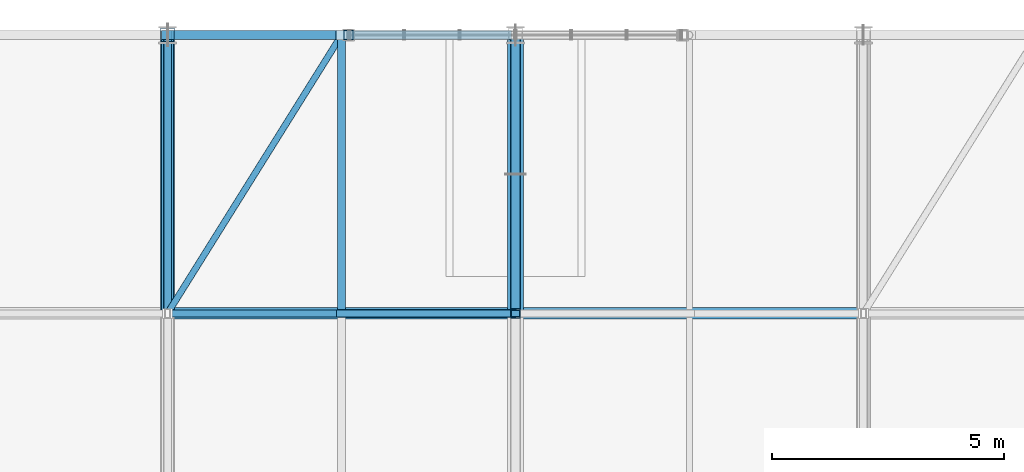
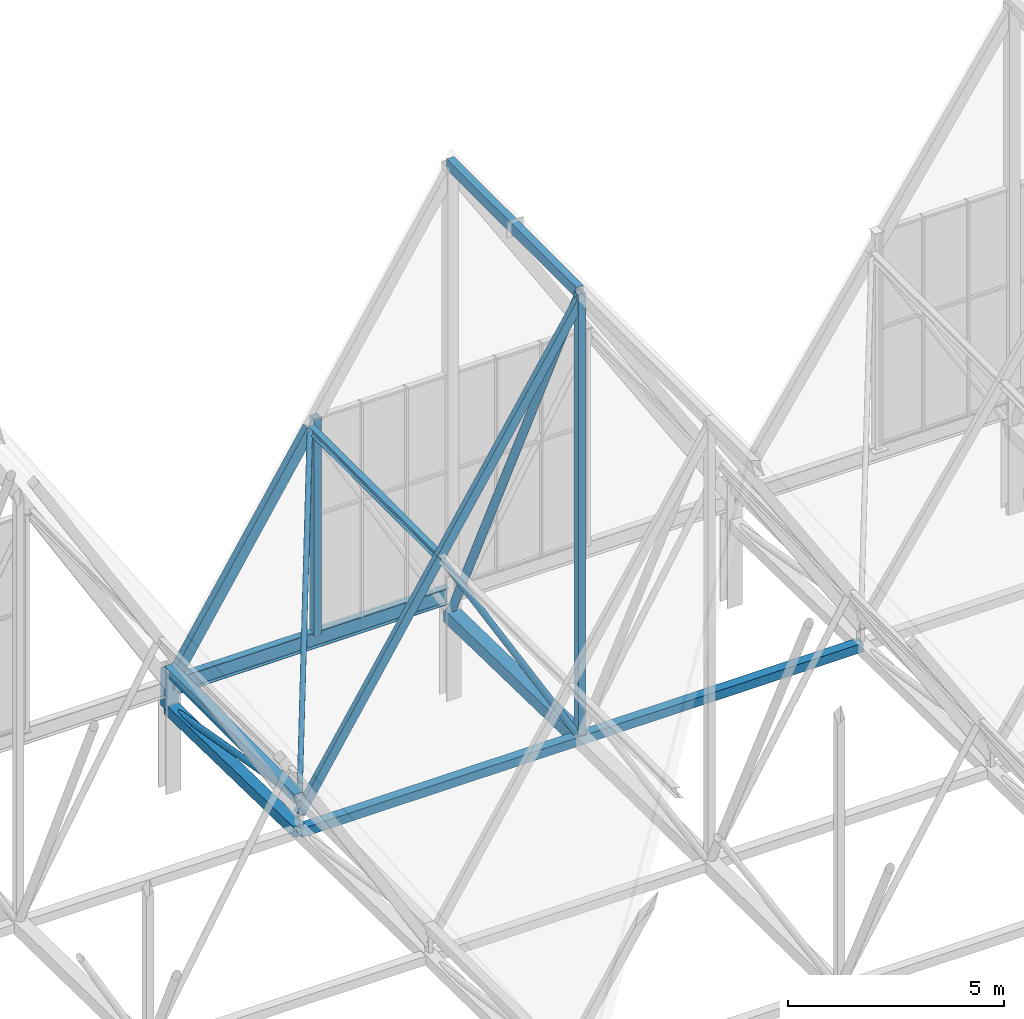
# One storey, part 168 of 324: 15 members, 2 beams.
"""IFC4 building model written with IfcOpenShell, lengths in metres."""

from ifc_helpers import new_model, si_unit, direction, frame, origin, origin_2d, place, context, subcontext, project, spatial, hollow_rectangle, hollow_circle, i_section, extrude, material, material_profile, profile_set, type_object, element, save


model = new_model("IFC4")

# Units and contexts
model_context = context("Model", 3, precision=1e-05, world=origin(), true_north=direction((0.0, 1.0)))
body_context = subcontext(model_context, "Body", "Model", "MODEL_VIEW")
ifc_project = project(units=[si_unit("LENGTHUNIT", "METRE"), si_unit("AREAUNIT", "SQUARE_METRE"), si_unit("VOLUMEUNIT", "CUBIC_METRE"), si_unit("PLANEANGLEUNIT", "RADIAN"), si_unit("MASSUNIT", "GRAM", prefix="KILO")], contexts=[model_context])

# Site, building, storey
site_placement = place(None, origin())
site = spatial("IfcSite", under=ifc_project, at=site_placement, CompositionType="ELEMENT")
building_placement = place(site_placement, origin())
building = spatial("IfcBuilding", under=site, at=building_placement, Name="Solvenia Promenade Tram Depot", CompositionType="ELEMENT")
storey_placement = place(building_placement, frame((0.0, 0.0, 4.5)))
storey = spatial("IfcBuildingStorey", under=building, at=storey_placement, Name="L01", CompositionType="ELEMENT", Elevation=4.5)

# Members
ifc_material_1 = material(Name="Structural steel ASTM A500 Gr. C", Category="steel")
ifc_material_profile_1 = material_profile(ifc_material_1, hollow_circle(Radius=0.109619140625, WallThickness=0.008056640625, at=origin_2d()), Name="CHS219.1x8", Category="steel")
ifc_profile_set_1 = profile_set([ifc_material_profile_1], Name="Structural steel ASTM A500 Gr. C")
member_type_1 = type_object("IfcMemberType", Name="Brace-CHS219x8", PredefinedType="BRACE", material=ifc_profile_set_1)
member_1_placement = place(storey_placement, frame((127.5, 126.0, 2.320068359375), z_axis=(0.0, -0.426619479473, 0.904431213379), x_axis=(1.0, 0.0, 0.0)))
element("IfcMember", 1, at=member_1_placement, inside=storey, type_object=member_type_1, Name="Arched Truss T18 Web Diagonal S10", PredefinedType="BRACE", context=body_context, shape_type="SweptSolid", body=[
    extrude(hollow_circle(Radius=0.109619140625, WallThickness=0.008056640625, at=origin_2d()), origin(), (0.0, 0.0, 1.0), 14.06396484375),
])
ifc_material_profile_2 = material_profile(ifc_material_1, hollow_rectangle(XDim=0.14990234375, YDim=0.25, WallThickness=0.010009765625, at=origin_2d()), Name="HSS250x150x10", Category="steel")
ifc_profile_set_2 = profile_set([ifc_material_profile_2], Name="Structural steel ASTM A500 Gr. C")
member_type_2 = type_object("IfcMemberType", Name="Chord-HSS250x150x10", PredefinedType="CHORD", material=ifc_profile_set_2)
member_2_placement = place(storey_placement, frame((120.0, 120.0, 2.942626953125), z_axis=(0.533506771487, 0.0, 0.845795793781), x_axis=(0.0, 1.0, 0.0)))
element("IfcMember", 2, at=member_2_placement, inside=storey, type_object=member_type_2, Name="Zigzag Gable 09 West Lower Rafter", PredefinedType="CHORD", context=body_context, shape_type="SweptSolid", body=[
    extrude(hollow_rectangle(XDim=0.14990234375, YDim=0.25, WallThickness=0.010009765625, at=origin_2d()), origin(), (0.0, 0.0, 1.0), 7.029052734375),
])
member_3_placement = place(storey_placement, frame((123.75, 120.0, 8.8876953125), z_axis=(0.533522444929, 0.0, 0.845785907164), x_axis=(0.0, 1.0, 0.0)))
element("IfcMember", 3, at=member_3_placement, inside=storey, type_object=member_type_2, Name="Zigzag Gable 09 West Upper Rafter", PredefinedType="CHORD", context=body_context, shape_type="SweptSolid", body=[
    extrude(hollow_rectangle(XDim=0.14990234375, YDim=0.25, WallThickness=0.010009765625, at=origin_2d()), origin(), (0.0, 0.0, 1.0), 7.02880859375),
])
ifc_material_profile_3 = material_profile(ifc_material_1, hollow_rectangle(XDim=0.25, YDim=0.25, WallThickness=0.010009765625, at=origin_2d()), Name="HSS250x250x10", Category="steel")
ifc_profile_set_3 = profile_set([ifc_material_profile_3], Name="Structural steel ASTM A500 Gr. C")
member_type_3 = type_object("IfcMemberType", Name="Chord-HSS250x250x10", PredefinedType="CHORD", material=ifc_profile_set_3)
member_4_placement = place(storey_placement, frame((120.0, 120.0, 3.3798828125), z_axis=(0.0, 1.0, 0.0), x_axis=(-1.0, 0.0, 0.0)))
element("IfcMember", 4, at=member_4_placement, inside=storey, type_object=member_type_3, Name="Arched Truss T17 Upper Chord S10", PredefinedType="CHORD", context=body_context, shape_type="SweptSolid", body=[
    extrude(hollow_rectangle(XDim=0.25, YDim=0.25, WallThickness=0.010009765625, at=origin_2d()), origin(), (0.0, 0.0, 1.0), 6.0),
])
member_5_placement = place(storey_placement, frame((120.0, 120.0, 2.446044921875), z_axis=(1.0, 0.0, 0.0), x_axis=(0.0, 1.0, 0.0)))
element("IfcMember", 5, at=member_5_placement, inside=storey, type_object=member_type_3, Name="Bottom-Chord Catenary Lateral Tie 081", PredefinedType="CHORD", context=body_context, shape_type="SweptSolid", body=[
    extrude(hollow_rectangle(XDim=0.25, YDim=0.25, WallThickness=0.010009765625, at=origin_2d()), origin(), (0.0, 0.0, 1.0), 15.0),
])
ifc_material_profile_4 = material_profile(ifc_material_1, hollow_rectangle(XDim=0.199951171875, YDim=0.300048828125, WallThickness=0.012451171875, at=origin_2d()), Name="HSS300x200x12.5", Category="steel")
ifc_profile_set_4 = profile_set([ifc_material_profile_4], Name="Structural steel ASTM A500 Gr. C")
member_type_4 = type_object("IfcMemberType", Name="Chord-HSS300x200x12", PredefinedType="CHORD", material=ifc_profile_set_4)
member_6_placement = place(storey_placement, frame((127.5, 120.0, 15.0400390625), z_axis=(0.0, 1.0, 0.0), x_axis=(-1.0, 0.0, 0.0)))
element("IfcMember", 6, at=member_6_placement, inside=storey, type_object=member_type_4, Name="Arched Truss T18 Upper Chord S10", PredefinedType="CHORD", context=body_context, shape_type="SweptSolid", body=[
    extrude(hollow_rectangle(XDim=0.199951171875, YDim=0.300048828125, WallThickness=0.012451171875, at=origin_2d()), origin(), (0.0, 0.0, 1.0), 6.0),
])
member_7_placement = place(storey_placement, frame((120.0, 126.0, 2.942626953125), z_axis=(0.533506771487, 0.0, 0.845795793781), x_axis=(0.0, 1.0, 0.0)))
element("IfcMember", 7, at=member_7_placement, inside=storey, type_object=member_type_4, Name="Zigzag Gable 09 West Lower Rafter", PredefinedType="CHORD", context=body_context, shape_type="SweptSolid", body=[
    extrude(hollow_rectangle(XDim=0.199951171875, YDim=0.300048828125, WallThickness=0.012451171875, at=origin_2d()), origin(), (0.0, 0.0, 1.0), 7.029052734375),
])
ifc_material_profile_5 = material_profile(ifc_material_1, hollow_rectangle(XDim=0.300048828125, YDim=0.300048828125, WallThickness=0.012451171875, at=origin_2d()), Name="HSS300x300x12.5", Category="steel")
ifc_profile_set_5 = profile_set([ifc_material_profile_5], Name="Structural steel ASTM A500 Gr. C")
member_type_5 = type_object("IfcMemberType", Name="Chord-HSS300x300x12", PredefinedType="CHORD", material=ifc_profile_set_5)
member_8_placement = place(storey_placement, frame((120.0, 126.0, 2.320068359375), z_axis=(0.0, 0.0, 1.0), x_axis=(1.0, 0.0, 0.0)))
element("IfcMember", 8, at=member_8_placement, inside=storey, type_object=member_type_5, Name="Arched Truss T17 N End Post", PredefinedType="CHORD", context=body_context, shape_type="SweptSolid", body=[
    extrude(hollow_rectangle(XDim=0.300048828125, YDim=0.300048828125, WallThickness=0.012451171875, at=origin_2d()), origin(), (0.0, 0.0, 1.0), 1.059814453125),
])
member_9_placement = place(storey_placement, frame((120.0, 120.0, 2.446044921875), z_axis=(0.0, 0.999779654873, -0.020991467363), x_axis=(-1.0, 0.0, 0.0)))
element("IfcMember", 9, at=member_9_placement, inside=storey, type_object=member_type_5, Name="Arched Truss T17 Bottom Chord S10", PredefinedType="CHORD", context=body_context, shape_type="SweptSolid", body=[
    extrude(hollow_rectangle(XDim=0.300048828125, YDim=0.300048828125, WallThickness=0.012451171875, at=origin_2d()), origin(), (0.0, 0.0, 1.0), 6.001220703125),
])
ifc_material_profile_6 = material_profile(ifc_material_1, hollow_rectangle(XDim=0.35009765625, YDim=0.35009765625, WallThickness=0.01611328125, at=origin_2d()), Name="HSS350x350x16", Category="steel")
ifc_profile_set_6 = profile_set([ifc_material_profile_6], Name="Structural steel ASTM A500 Gr. C")
member_type_6 = type_object("IfcMemberType", Name="Chord-HSS350x350x16", PredefinedType="CHORD", material=ifc_profile_set_6)
member_10_placement = place(storey_placement, frame((127.5, 120.0, 2.446044921875), z_axis=(0.0, 0.999779654873, -0.020991467363), x_axis=(-1.0, 0.0, 0.0)))
element("IfcMember", 10, at=member_10_placement, inside=storey, type_object=member_type_6, Name="Arched Truss T18 Bottom Chord S10", PredefinedType="CHORD", context=body_context, shape_type="SweptSolid", body=[
    extrude(hollow_rectangle(XDim=0.35009765625, YDim=0.35009765625, WallThickness=0.01611328125, at=origin_2d()), origin(), (0.0, 0.0, 1.0), 6.001220703125),
])
ifc_material_profile_7 = material_profile(ifc_material_1, hollow_rectangle(XDim=0.199951171875, YDim=0.199951171875, WallThickness=0.010009765625, at=origin_2d()), Name="HSS200x200x10", Category="steel")
ifc_profile_set_7 = profile_set([ifc_material_profile_7], Name="Structural steel ASTM A500 Gr. C")
member_type_7 = type_object("IfcMemberType", Name="Post-HSS200x200x10", PredefinedType="POST", material=ifc_profile_set_7)
member_11_placement = place(storey_placement, frame((127.5, 120.0, 2.446044921875), z_axis=(0.0, 0.0, 1.0), x_axis=(1.0, 0.0, 0.0)))
element("IfcMember", 11, at=member_11_placement, inside=storey, type_object=member_type_7, Name="Arched Truss T18 Web Post S09", PredefinedType="POST", context=body_context, shape_type="SweptSolid", body=[
    extrude(hollow_rectangle(XDim=0.199951171875, YDim=0.199951171875, WallThickness=0.010009765625, at=origin_2d()), origin(), (0.0, 0.0, 1.0), 12.593994140625),
])
member_12_placement = place(storey_placement, frame((123.89990234375, 126.0, 3.0), z_axis=(0.0, 0.0, 1.0), x_axis=(1.0, 0.0, 0.0)))
element("IfcMember", 12, at=member_12_placement, inside=storey, type_object=member_type_7, Name="Gable Curtain-Wall Steel Jamb Post 033", PredefinedType="POST", context=body_context, shape_type="SweptSolid", body=[
    extrude(hollow_rectangle(XDim=0.199951171875, YDim=0.199951171875, WallThickness=0.010009765625, at=origin_2d()), origin(), (0.0, 0.0, 1.0), 6.14990234375),
])

# Beam
ifc_material_2 = material(Name="Structural steel ASTM A992 Gr. 50", Category="steel")
ifc_material_profile_8 = material_profile(ifc_material_2, i_section(OverallWidth=0.1650390625, OverallDepth=0.200927734375, WebThickness=0.006103515625, FlangeThickness=0.01025390625, FilletRadius=0.010009765625, at=origin_2d()), Name="W200x36", Category="steel")
ifc_profile_set_8 = profile_set([ifc_material_profile_8], Name="Structural steel ASTM A992 Gr. 50")
beam_type_1 = type_object("IfcBeamType", Name="Purlin-W200x36", PredefinedType="USERDEFINED", material=ifc_profile_set_8)
beam_1_placement = place(storey_placement, frame((123.75, 120.0849609375, 8.8857421875), z_axis=(0.0, 1.0, 0.0), x_axis=(-1.0, 0.0, 0.0)))
element("IfcBeam", 13, at=beam_1_placement, inside=storey, type_object=beam_type_1, Name="Gable Roof Purlin W-0179", ObjectType="PURLIN", PredefinedType="USERDEFINED", context=body_context, shape_type="SweptSolid", body=[
    extrude(i_section(OverallWidth=0.1650390625, OverallDepth=0.200927734375, WebThickness=0.006103515625, FlangeThickness=0.01025390625, FilletRadius=0.010009765625, at=origin_2d()), origin(), (0.0, 0.0, 1.0), 5.830078125),
])

# Member
ifc_material_profile_9 = material_profile(ifc_material_1, hollow_circle(Radius=0.06982421875, WallThickness=0.00634765625, at=origin_2d()), Name="CHS139.7x6.3", Category="steel")
ifc_profile_set_9 = profile_set([ifc_material_profile_9], Name="Structural steel ASTM A500 Gr. C")
member_type_8 = type_object("IfcMemberType", Name="RoofBrace-CHS140x6", PredefinedType="BRACE", material=ifc_profile_set_9)
member_13_placement = place(storey_placement, frame((120.0, 120.0, 2.942626953125), z_axis=(0.40577587023, 0.649241392368, 0.643297409894), x_axis=(-0.847998304005, 0.529998940003, 0.0)))
element("IfcMember", 14, at=member_13_placement, inside=storey, type_object=member_type_8, Name="Roof Plan Wind Brace 018", PredefinedType="BRACE", context=body_context, shape_type="SweptSolid", body=[
    extrude(hollow_circle(Radius=0.06982421875, WallThickness=0.00634765625, at=origin_2d()), origin(), (0.0, 0.0, 1.0), 9.241455078125),
])

# Beam
ifc_material_profile_10 = material_profile(ifc_material_2, i_section(OverallWidth=0.19091796875, OverallDepth=0.4599609375, WebThickness=0.010009765625, FlangeThickness=0.01611328125, FilletRadius=0.012939453125, at=origin_2d()), Name="W460x82", Category="steel")
ifc_profile_set_10 = profile_set([ifc_material_profile_10], Name="Structural steel ASTM A992 Gr. 50")
beam_type_2 = type_object("IfcBeamType", Name="Spandrel-W460x82", PredefinedType="SPANDREL", material=ifc_profile_set_10)
beam_2_placement = place(storey_placement, frame((120.0849609375, 126.0, 2.889892578125), z_axis=(1.0, 0.0, 0.0), x_axis=(0.0, 1.0, 0.0)))
element("IfcBeam", 15, at=beam_2_placement, inside=storey, type_object=beam_type_2, Name="North Shed Eave Girder BM-L01-0984", PredefinedType="SPANDREL", context=body_context, shape_type="SweptSolid", body=[
    extrude(i_section(OverallWidth=0.19091796875, OverallDepth=0.4599609375, WebThickness=0.010009765625, FlangeThickness=0.01611328125, FilletRadius=0.012939453125, at=origin_2d()), origin(), (0.0, 0.0, 1.0), 7.330078125),
])

# Members
ifc_material_profile_11 = material_profile(ifc_material_1, hollow_circle(Radius=0.084228515625, WallThickness=0.008056640625, at=origin_2d()), Name="CHS168.3x8", Category="steel")
ifc_profile_set_11 = profile_set([ifc_material_profile_11], Name="Structural steel ASTM A500 Gr. C")
member_type_9 = type_object("IfcMemberType", Name="WebDiag-CHS168x8", PredefinedType="BRACE", material=ifc_profile_set_11)
member_14_placement = place(storey_placement, frame((120.0, 126.0, 2.320068359375), z_axis=(0.0, -0.984755712458, 0.173943056143), x_axis=(1.0, 0.0, 0.0)))
element("IfcMember", 16, at=member_14_placement, inside=storey, type_object=member_type_9, Name="Arched Truss T17 Web Diagonal S10", PredefinedType="BRACE", context=body_context, shape_type="SweptSolid", body=[
    extrude(hollow_circle(Radius=0.084228515625, WallThickness=0.008056640625, at=origin_2d()), origin(), (0.0, 0.0, 1.0), 6.0927734375),
])
member_15_placement = place(storey_placement, frame((127.5, 120.0, 2.446044921875), z_axis=(-0.503107125653, 0.0, 0.864224056664), x_axis=(0.0, -1.0, 0.0)))
element("IfcMember", 17, at=member_15_placement, inside=storey, type_object=member_type_9, Name="Zigzag Gable 09 West Knee Strut", PredefinedType="BRACE", context=body_context, shape_type="SweptSolid", body=[
    extrude(hollow_circle(Radius=0.084228515625, WallThickness=0.008056640625, at=origin_2d()), origin(), (0.0, 0.0, 1.0), 7.45361328125),
])

save(model, "model.ifc")
